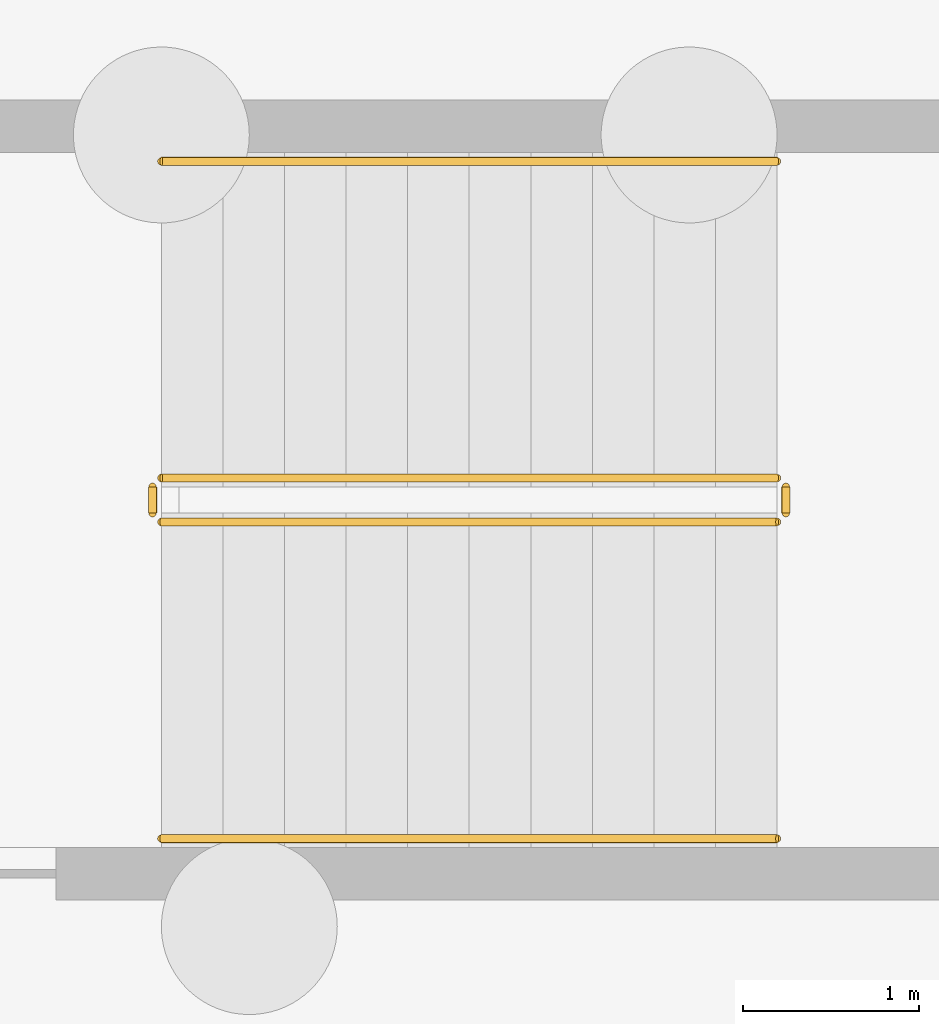
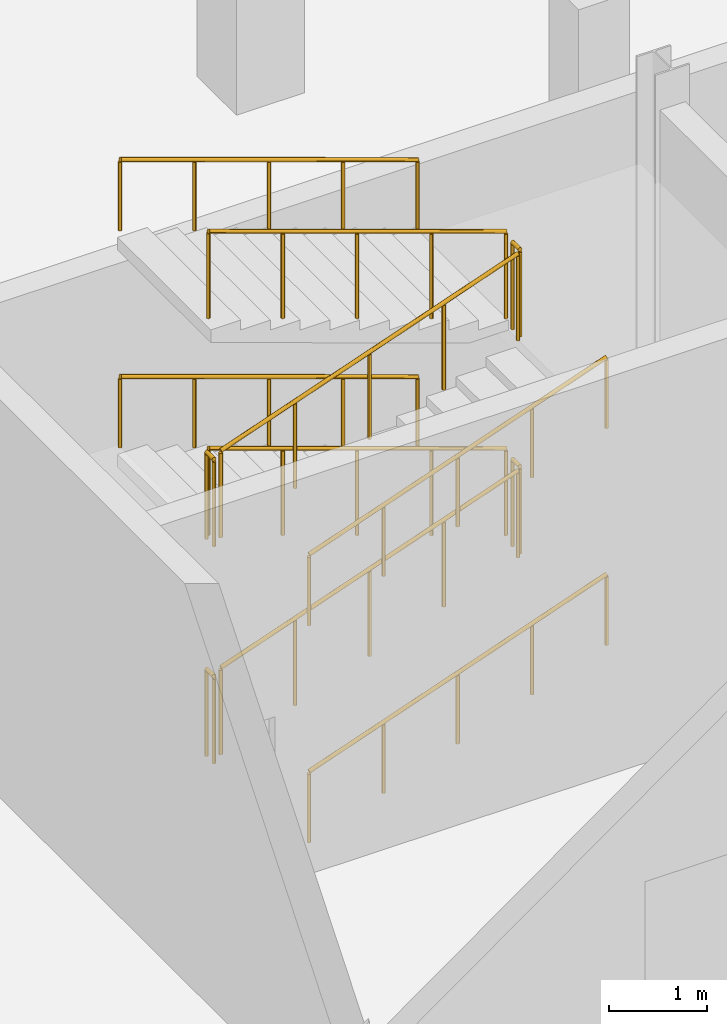
# One storey, part 28 of 29: 12 railings.
"""IFC4 building model written with IfcOpenShell, lengths in metres."""

from ifc_helpers import new_model, si_unit, direction, frame, origin, origin_2d, place, context, subcontext, project, spatial, circle, extrude, material, type_object, element, save


model = new_model("IFC4")

# Units and contexts
model_context = context("Model", 3, precision=1e-05, world=origin(), true_north=direction((0.0, 1.0)))
body_context = subcontext(model_context, "Body", "Model", "MODEL_VIEW")
ifc_project = project(units=[si_unit("LENGTHUNIT", "METRE"), si_unit("AREAUNIT", "SQUARE_METRE"), si_unit("VOLUMEUNIT", "CUBIC_METRE"), si_unit("PLANEANGLEUNIT", "RADIAN"), si_unit("MASSUNIT", "GRAM", prefix="KILO")], contexts=[model_context])

# Site, building, storey
site_placement = place(None, origin())
site = spatial("IfcSite", under=ifc_project, at=site_placement, CompositionType="ELEMENT")
building_placement = place(site_placement, origin())
building = spatial("IfcBuilding", under=site, at=building_placement, Name="Cresset Court Congress Hotel", CompositionType="ELEMENT")
storey_placement = place(building_placement, frame((0.0, 0.0, -5.39990234375)))
storey = spatial("IfcBuildingStorey", under=building, at=storey_placement, Name="B1", CompositionType="ELEMENT", Elevation=-5.39990234375)

# Railings
ifc_material_1 = material(Name="Steel and laminated glass", Category="steel")
railing_type_1 = type_object("IfcRailingType", Name="Guard 1100 steel and glass", PredefinedType="GUARDRAIL", material=ifc_material_1)
railing_1_placement = place(storey_placement, frame((136.5, 23.300048828125, 0.12255859375)))
element("IfcRailing", 1, at=railing_1_placement, inside=storey, type_object=railing_type_1, Name="B1 ST-B5 stair guard 1", PredefinedType="GUARDRAIL", context=body_context, shape_type="SweptSolid", body=[
    extrude(circle(Radius=0.02392578125, at=origin_2d()), frame((0.0, 0.0, 1.076171875), z_axis=(0.943665265509, 0.0, 0.33090159666), x_axis=(0.0, 1.0, 0.0)), (0.0, 0.0, 1.0), 3.708984375),
    extrude(circle(Radius=0.02099609375, at=origin_2d()), origin(), (0.0, 0.0, 1.0), 1.052001953125),
    extrude(circle(Radius=0.02099609375, at=origin_2d()), frame((0.875, 0.0, 0.306884765625)), (0.0, 0.0, 1.0), 1.052001953125),
    extrude(circle(Radius=0.02099609375, at=origin_2d()), frame((1.75, 0.0, 0.61376953125)), (0.0, 0.0, 1.0), 1.052001953125),
    extrude(circle(Radius=0.02099609375, at=origin_2d()), frame((2.625, 0.0, 0.92041015625)), (0.0, 0.0, 1.0), 1.052001953125),
    extrude(circle(Radius=0.02099609375, at=origin_2d()), frame((3.5, 0.0, 1.227294921875)), (0.0, 0.0, 1.0), 1.052001953125),
])
railing_2_placement = place(storey_placement, frame((140.050048828125, 23.35009765625, 1.349853515625)))
element("IfcRailing", 2, at=railing_2_placement, inside=storey, type_object=railing_type_1, Name="B1 ST-B5 stair guard 2", PredefinedType="GUARDRAIL", context=body_context, shape_type="SweptSolid", body=[
    extrude(circle(Radius=0.02392578125, at=origin_2d()), frame((0.0, 0.0, 1.076171875), z_axis=(0.0, 1.0, 0.0), x_axis=(-1.0, 0.0, 0.0)), (0.0, 0.0, 1.0), 0.14990234375),
    extrude(circle(Radius=0.02099609375, at=origin_2d()), origin(), (0.0, 0.0, 1.0), 1.052001953125),
    extrude(circle(Radius=0.02099609375, at=origin_2d()), frame((0.0, 0.14990234375, 0.0)), (0.0, 0.0, 1.0), 1.052001953125),
])
railing_3_placement = place(storey_placement, frame((140.0, 23.550048828125, 1.47265625)))
element("IfcRailing", 3, at=railing_3_placement, inside=storey, type_object=railing_type_1, Name="B1 ST-B5 stair guard 3", PredefinedType="GUARDRAIL", context=body_context, shape_type="SweptSolid", body=[
    extrude(circle(Radius=0.02392578125, at=origin_2d()), frame((0.0, 0.0, 1.076171875), z_axis=(-0.943665265509, 0.0, 0.33090159666), x_axis=(0.0, -1.0, 0.0)), (0.0, 0.0, 1.0), 3.708984375),
    extrude(circle(Radius=0.02099609375, at=origin_2d()), origin(), (0.0, 0.0, 1.0), 1.052001953125),
    extrude(circle(Radius=0.02099609375, at=origin_2d()), frame((-0.875, 0.0, 0.306884765625)), (0.0, 0.0, 1.0), 1.052001953125),
    extrude(circle(Radius=0.02099609375, at=origin_2d()), frame((-1.75, 0.0, 0.61376953125)), (0.0, 0.0, 1.0), 1.052001953125),
    extrude(circle(Radius=0.02099609375, at=origin_2d()), frame((-2.625, 0.0, 0.92041015625)), (0.0, 0.0, 1.0), 1.052001953125),
    extrude(circle(Radius=0.02099609375, at=origin_2d()), frame((-3.5, 0.0, 1.227294921875)), (0.0, 0.0, 1.0), 1.052001953125),
])
railing_4_placement = place(storey_placement, frame((136.449951171875, 23.35009765625, 2.699951171875)))
element("IfcRailing", 4, at=railing_4_placement, inside=storey, type_object=railing_type_1, Name="B1 ST-B5 stair guard 4", PredefinedType="GUARDRAIL", context=body_context, shape_type="SweptSolid", body=[
    extrude(circle(Radius=0.02392578125, at=origin_2d()), frame((0.0, 0.0, 1.076171875), z_axis=(0.0, 1.0, 0.0), x_axis=(-1.0, 0.0, 0.0)), (0.0, 0.0, 1.0), 0.14990234375),
    extrude(circle(Radius=0.02099609375, at=origin_2d()), origin(), (0.0, 0.0, 1.0), 1.052001953125),
    extrude(circle(Radius=0.02099609375, at=origin_2d()), frame((0.0, 0.14990234375, 0.0)), (0.0, 0.0, 1.0), 1.052001953125),
])
railing_5_placement = place(storey_placement, frame((136.5, 23.300048828125, 2.822509765625)))
element("IfcRailing", 5, at=railing_5_placement, inside=storey, type_object=railing_type_1, Name="B1 ST-B5 stair guard 5", PredefinedType="GUARDRAIL", context=body_context, shape_type="SweptSolid", body=[
    extrude(circle(Radius=0.02392578125, at=origin_2d()), frame((0.0, 0.0, 1.076171875), z_axis=(0.943665265509, 0.0, 0.33090159666), x_axis=(0.0, 1.0, 0.0)), (0.0, 0.0, 1.0), 3.708984375),
    extrude(circle(Radius=0.02099609375, at=origin_2d()), origin(), (0.0, 0.0, 1.0), 1.052001953125),
    extrude(circle(Radius=0.02099609375, at=origin_2d()), frame((0.875, 0.0, 0.306884765625)), (0.0, 0.0, 1.0), 1.052001953125),
    extrude(circle(Radius=0.02099609375, at=origin_2d()), frame((1.75, 0.0, 0.61376953125)), (0.0, 0.0, 1.0), 1.052001953125),
    extrude(circle(Radius=0.02099609375, at=origin_2d()), frame((2.625, 0.0, 0.92041015625)), (0.0, 0.0, 1.0), 1.052001953125),
    extrude(circle(Radius=0.02099609375, at=origin_2d()), frame((3.5, 0.0, 1.227294921875)), (0.0, 0.0, 1.0), 1.052001953125),
])
railing_6_placement = place(storey_placement, frame((140.050048828125, 23.35009765625, 4.0498046875)))
element("IfcRailing", 6, at=railing_6_placement, inside=storey, type_object=railing_type_1, Name="B1 ST-B5 stair guard 6", PredefinedType="GUARDRAIL", context=body_context, shape_type="SweptSolid", body=[
    extrude(circle(Radius=0.02392578125, at=origin_2d()), frame((0.0, 0.0, 1.076171875), z_axis=(0.0, 1.0, 0.0), x_axis=(-1.0, 0.0, 0.0)), (0.0, 0.0, 1.0), 0.14990234375),
    extrude(circle(Radius=0.02099609375, at=origin_2d()), origin(), (0.0, 0.0, 1.0), 1.052001953125),
    extrude(circle(Radius=0.02099609375, at=origin_2d()), frame((0.0, 0.14990234375, 0.0)), (0.0, 0.0, 1.0), 1.052001953125),
])
railing_7_placement = place(storey_placement, frame((140.0, 23.550048828125, 4.172607421875)))
element("IfcRailing", 7, at=railing_7_placement, inside=storey, type_object=railing_type_1, Name="B1 ST-B5 stair guard 7", PredefinedType="GUARDRAIL", context=body_context, shape_type="SweptSolid", body=[
    extrude(circle(Radius=0.02392578125, at=origin_2d()), frame((0.0, 0.0, 1.076171875), z_axis=(-0.943665265509, 0.0, 0.33090159666), x_axis=(0.0, -1.0, 0.0)), (0.0, 0.0, 1.0), 3.708984375),
    extrude(circle(Radius=0.02099609375, at=origin_2d()), origin(), (0.0, 0.0, 1.0), 1.052001953125),
    extrude(circle(Radius=0.02099609375, at=origin_2d()), frame((-0.875, 0.0, 0.306884765625)), (0.0, 0.0, 1.0), 1.052001953125),
    extrude(circle(Radius=0.02099609375, at=origin_2d()), frame((-1.75, 0.0, 0.61376953125)), (0.0, 0.0, 1.0), 1.052001953125),
    extrude(circle(Radius=0.02099609375, at=origin_2d()), frame((-2.625, 0.0, 0.92041015625)), (0.0, 0.0, 1.0), 1.052001953125),
    extrude(circle(Radius=0.02099609375, at=origin_2d()), frame((-3.5, 0.0, 1.227294921875)), (0.0, 0.0, 1.0), 1.052001953125),
])
railing_8_placement = place(storey_placement, frame((136.449951171875, 23.35009765625, 0.0)))
element("IfcRailing", 8, at=railing_8_placement, inside=storey, type_object=railing_type_1, Name="B1 ST-B5 stair guard 8", PredefinedType="GUARDRAIL", context=body_context, shape_type="SweptSolid", body=[
    extrude(circle(Radius=0.02392578125, at=origin_2d()), frame((0.0, 0.0, 1.076171875), z_axis=(0.0, 1.0, 0.0), x_axis=(-1.0, 0.0, 0.0)), (0.0, 0.0, 1.0), 0.14990234375),
    extrude(circle(Radius=0.02099609375, at=origin_2d()), origin(), (0.0, 0.0, 1.0), 1.052001953125),
    extrude(circle(Radius=0.02099609375, at=origin_2d()), frame((0.0, 0.14990234375, 0.0)), (0.0, 0.0, 1.0), 1.052001953125),
])
ifc_material_2 = material(Name="Stainless steel", Category="steel")
railing_type_2 = type_object("IfcRailingType", Name="Handrail 48 stainless", PredefinedType="HANDRAIL", material=ifc_material_2)
railing_9_placement = place(storey_placement, frame((136.5, 21.5, 0.12255859375)))
element("IfcRailing", 9, at=railing_9_placement, inside=storey, type_object=railing_type_2, Name="B1 ST-B5 stair handrail 1", PredefinedType="HANDRAIL", context=body_context, shape_type="SweptSolid", body=[
    extrude(circle(Radius=0.02392578125, at=origin_2d()), frame((0.0, 0.0, 0.8759765625), z_axis=(0.943665265509, 0.0, 0.33090159666), x_axis=(0.0, 1.0, 0.0)), (0.0, 0.0, 1.0), 3.708984375),
    extrude(circle(Radius=0.02099609375, at=origin_2d()), origin(), (0.0, 0.0, 1.0), 0.851806640625),
    extrude(circle(Radius=0.02099609375, at=origin_2d()), frame((0.875, 0.0, 0.306884765625)), (0.0, 0.0, 1.0), 0.851806640625),
    extrude(circle(Radius=0.02099609375, at=origin_2d()), frame((1.75, 0.0, 0.61376953125)), (0.0, 0.0, 1.0), 0.851806640625),
    extrude(circle(Radius=0.02099609375, at=origin_2d()), frame((2.625, 0.0, 0.92041015625)), (0.0, 0.0, 1.0), 0.851806640625),
    extrude(circle(Radius=0.02099609375, at=origin_2d()), frame((3.5, 0.0, 1.227294921875)), (0.0, 0.0, 1.0), 0.851806640625),
])
railing_10_placement = place(storey_placement, frame((140.0, 25.35009765625, 1.47265625)))
element("IfcRailing", 10, at=railing_10_placement, inside=storey, type_object=railing_type_2, Name="B1 ST-B5 stair handrail 2", PredefinedType="HANDRAIL", context=body_context, shape_type="SweptSolid", body=[
    extrude(circle(Radius=0.02392578125, at=origin_2d()), frame((0.0, 0.0, 0.8759765625), z_axis=(-0.943665265509, 0.0, 0.33090159666), x_axis=(0.0, -1.0, 0.0)), (0.0, 0.0, 1.0), 3.708984375),
    extrude(circle(Radius=0.02099609375, at=origin_2d()), origin(), (0.0, 0.0, 1.0), 0.851806640625),
    extrude(circle(Radius=0.02099609375, at=origin_2d()), frame((-0.875, 0.0, 0.306884765625)), (0.0, 0.0, 1.0), 0.851806640625),
    extrude(circle(Radius=0.02099609375, at=origin_2d()), frame((-1.75, 0.0, 0.61376953125)), (0.0, 0.0, 1.0), 0.851806640625),
    extrude(circle(Radius=0.02099609375, at=origin_2d()), frame((-2.625, 0.0, 0.92041015625)), (0.0, 0.0, 1.0), 0.851806640625),
    extrude(circle(Radius=0.02099609375, at=origin_2d()), frame((-3.5, 0.0, 1.227294921875)), (0.0, 0.0, 1.0), 0.851806640625),
])
railing_11_placement = place(storey_placement, frame((136.5, 21.5, 2.822509765625)))
element("IfcRailing", 11, at=railing_11_placement, inside=storey, type_object=railing_type_2, Name="B1 ST-B5 stair handrail 3", PredefinedType="HANDRAIL", context=body_context, shape_type="SweptSolid", body=[
    extrude(circle(Radius=0.02392578125, at=origin_2d()), frame((0.0, 0.0, 0.8759765625), z_axis=(0.943665265509, 0.0, 0.33090159666), x_axis=(0.0, 1.0, 0.0)), (0.0, 0.0, 1.0), 3.708984375),
    extrude(circle(Radius=0.02099609375, at=origin_2d()), origin(), (0.0, 0.0, 1.0), 0.851806640625),
    extrude(circle(Radius=0.02099609375, at=origin_2d()), frame((0.875, 0.0, 0.306884765625)), (0.0, 0.0, 1.0), 0.851806640625),
    extrude(circle(Radius=0.02099609375, at=origin_2d()), frame((1.75, 0.0, 0.61376953125)), (0.0, 0.0, 1.0), 0.851806640625),
    extrude(circle(Radius=0.02099609375, at=origin_2d()), frame((2.625, 0.0, 0.92041015625)), (0.0, 0.0, 1.0), 0.851806640625),
    extrude(circle(Radius=0.02099609375, at=origin_2d()), frame((3.5, 0.0, 1.227294921875)), (0.0, 0.0, 1.0), 0.851806640625),
])
railing_12_placement = place(storey_placement, frame((140.0, 25.35009765625, 4.172607421875)))
element("IfcRailing", 12, at=railing_12_placement, inside=storey, type_object=railing_type_2, Name="B1 ST-B5 stair handrail 4", PredefinedType="HANDRAIL", context=body_context, shape_type="SweptSolid", body=[
    extrude(circle(Radius=0.02392578125, at=origin_2d()), frame((0.0, 0.0, 0.8759765625), z_axis=(-0.943665265509, 0.0, 0.33090159666), x_axis=(0.0, -1.0, 0.0)), (0.0, 0.0, 1.0), 3.708984375),
    extrude(circle(Radius=0.02099609375, at=origin_2d()), origin(), (0.0, 0.0, 1.0), 0.851806640625),
    extrude(circle(Radius=0.02099609375, at=origin_2d()), frame((-0.875, 0.0, 0.306884765625)), (0.0, 0.0, 1.0), 0.851806640625),
    extrude(circle(Radius=0.02099609375, at=origin_2d()), frame((-1.75, 0.0, 0.61376953125)), (0.0, 0.0, 1.0), 0.851806640625),
    extrude(circle(Radius=0.02099609375, at=origin_2d()), frame((-2.625, 0.0, 0.92041015625)), (0.0, 0.0, 1.0), 0.851806640625),
    extrude(circle(Radius=0.02099609375, at=origin_2d()), frame((-3.5, 0.0, 1.227294921875)), (0.0, 0.0, 1.0), 0.851806640625),
])

save(model, "model.ifc")
